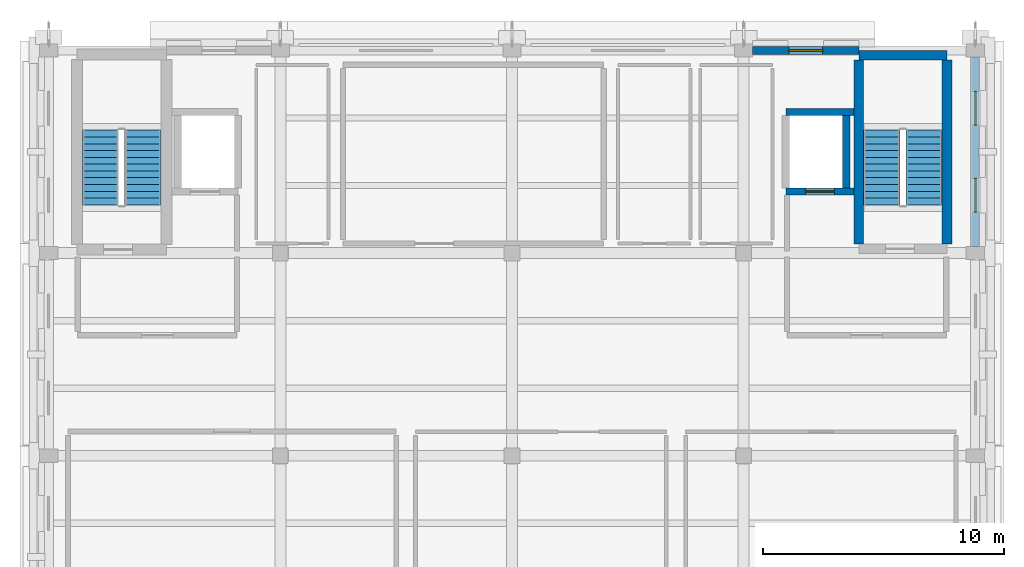
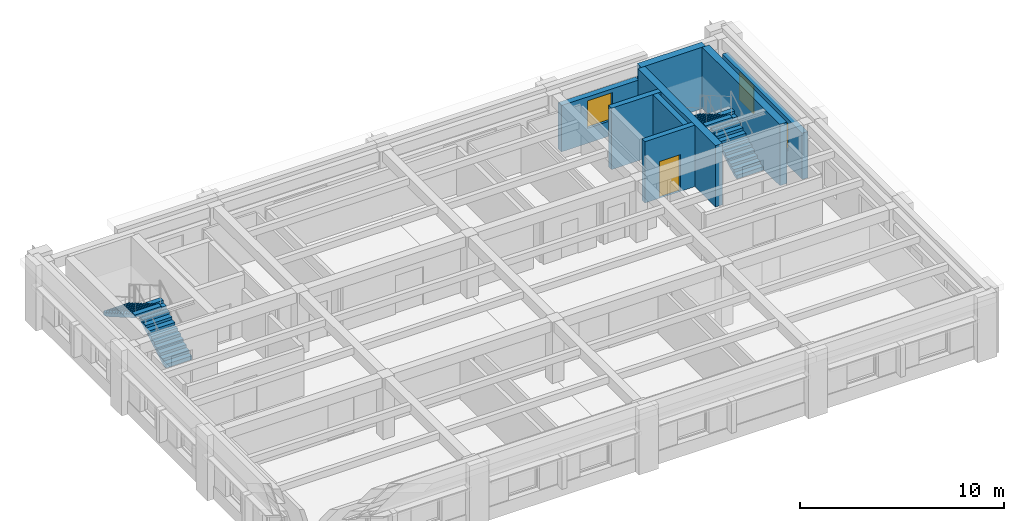
# One storey, part 6 of 9: 8 walls, 4 stair flights, 3 windows, 1 door, 4 openings, 2 elements without a shape of their own.
"""IFC4 building model written with IfcOpenShell, lengths in metres."""

import ifcopenshell
import ifcopenshell.guid

model = None  # the IFC model being written
_history = None  # IfcOwnerHistory: only IFC2X3 demands one
_inside = {}  # id of a spatial element -> (the spatial element, [elements in it])
_under = {}  # id of a project, library or spatial element -> (it, [spatial elements below it])
_declared = {}  # id of a project -> (the project, [libraries it declares])
_typed = {}  # id of a type object -> (the type object, [elements of that type])
_made_of = {}  # id of a material, layer set ... -> (it, [elements and type objects made of it])


def new_model(schema):
    """Start an empty IFC model of exactly this schema.

    Asked for "IFC4X3", IfcOpenShell would pick the latest addendum, in which some entities
    have other attributes; the version numbers below select the first issue.
    IFC2X3 requires an IfcOwnerHistory on every rooted entity: one is made here for all.
    """
    global model, _history
    if schema == "IFC4X3":
        model = ifcopenshell.file(schema_version=(4, 3, 0, 0))
    else:
        model = ifcopenshell.file(schema=schema)
    _inside.clear()
    _under.clear()
    _declared.clear()
    _typed.clear()
    _made_of.clear()
    _history = None
    if model.schema == "IFC2X3":
        org = make("IfcOrganization", Name="unknown")
        user = make(
            "IfcPersonAndOrganization",
            ThePerson=make("IfcPerson", FamilyName="unknown"),
            TheOrganization=org,
        )
        app = make(
            "IfcApplication",
            ApplicationDeveloper=org,
            Version="unknown",
            ApplicationFullName="unknown",
            ApplicationIdentifier="unknown",
        )
        _history = make(
            "IfcOwnerHistory",
            OwningUser=user,
            OwningApplication=app,
            ChangeAction="ADDED",
            CreationDate=0,
        )
    return model


def make(cls, **values):
    """One entity of the class cls with the attributes given. An attribute that is None is left unset."""
    return model.create_entity(
        cls, **{name: value for name, value in values.items() if value is not None}
    )


def rooted(cls, **values):
    """An entity with a GlobalId (a new one), such as an element, a storey or a relation."""
    return make(cls, GlobalId=ifcopenshell.guid.new(), OwnerHistory=_history, **values)


def si_unit(unit_type, name, prefix=None):
    """IfcSIUnit, for example si_unit("LENGTHUNIT", "METRE", prefix="MILLI")."""
    return make("IfcSIUnit", UnitType=unit_type, Prefix=prefix, Name=name)


def assignment(units):
    """IfcUnitAssignment: the units of a project."""
    return None if units is None else make("IfcUnitAssignment", Units=units)


def point(xyz):
    """IfcCartesianPoint."""
    return None if xyz is None else make("IfcCartesianPoint", Coordinates=xyz)


def direction(xyz):
    """IfcDirection."""
    return None if xyz is None else make("IfcDirection", DirectionRatios=xyz)


def frame(location, z_axis=None, x_axis=None):
    """IfcAxis2Placement3D, a coordinate frame: its origin and axes. An axis left out is left unset."""
    return make(
        "IfcAxis2Placement3D",
        Location=point(location),
        Axis=direction(z_axis),
        RefDirection=direction(x_axis),
    )


def frame_2d(location, x_axis=None):
    """IfcAxis2Placement2D, a coordinate frame in the plane: its origin and x axis."""
    return make(
        "IfcAxis2Placement2D", Location=point(location), RefDirection=direction(x_axis)
    )


def origin():
    """The frame at (0, 0, 0) with its axes left unset."""
    return frame((0.0, 0.0, 0.0))


def place(relative_to, where):
    """IfcLocalPlacement: puts the frame where relative to a parent placement (None: the world)."""
    return make(
        "IfcLocalPlacement", PlacementRelTo=relative_to, RelativePlacement=where
    )


def context(
    kind, dimensions, precision=None, world=None, true_north=None, identifier=None
):
    """IfcGeometricRepresentationContext, for example the 3D "Model" context."""
    return make(
        "IfcGeometricRepresentationContext",
        ContextIdentifier=identifier,
        ContextType=kind,
        CoordinateSpaceDimension=dimensions,
        Precision=precision,
        WorldCoordinateSystem=world,
        TrueNorth=true_north,
    )


def subcontext(parent, identifier, kind, view, scale=None):
    """IfcGeometricRepresentationSubContext, for example "Body" below "Model"."""
    return make(
        "IfcGeometricRepresentationSubContext",
        ContextIdentifier=identifier,
        ContextType=kind,
        ParentContext=parent,
        TargetScale=scale,
        TargetView=view,
    )


def project(units=None, contexts=None):
    """IfcProject with its units and contexts."""
    return rooted(
        "IfcProject",
        Name="project",
        RepresentationContexts=contexts,
        UnitsInContext=assignment(units),
    )


def spatial(cls, under=None, at=None, **own):
    """A site, building, storey or space (cls), placed at a placement, below another one or the project."""
    s = rooted(cls, ObjectPlacement=at, **own)
    if under is not None:
        _under.setdefault(under.id(), (under, []))[1].append(s)
    return s


def polyline(points):
    """IfcPolyline through the points."""
    return make("IfcPolyline", Points=[point(p) for p in points])


def profile(cls, at=None, kind="AREA", **sizes):
    """A parametric profile (cls). Its sizes go by their IFC names, for example OverallWidth=200.0."""
    return make(cls, ProfileType=kind, Position=at, **sizes)


def rectangle(**sizes):
    """IfcRectangleProfileDef."""
    return profile("IfcRectangleProfileDef", **sizes)


def outline(outer, holes=None, kind="AREA"):
    """IfcArbitraryClosedProfileDef: a profile drawn as a closed curve; with holes, ...WithVoids."""
    if holes is None:
        return make("IfcArbitraryClosedProfileDef", ProfileType=kind, OuterCurve=outer)
    return make(
        "IfcArbitraryProfileDefWithVoids",
        ProfileType=kind,
        OuterCurve=outer,
        InnerCurves=holes,
    )


def extrude(swept, where, along, depth):
    """IfcExtrudedAreaSolid: the profile swept, set in the frame where, extruded along a direction by depth."""
    return make(
        "IfcExtrudedAreaSolid",
        SweptArea=swept,
        Position=where,
        ExtrudedDirection=direction(along),
        Depth=depth,
    )


def shape(context_of_items, identifier, shape_type, items):
    """IfcShapeRepresentation: the items that make up one representation, for example the "Body"."""
    return make(
        "IfcShapeRepresentation",
        ContextOfItems=context_of_items,
        RepresentationIdentifier=identifier,
        RepresentationType=shape_type,
        Items=items,
    )


def material(Name=None, Category=None):
    """IfcMaterial."""
    return make("IfcMaterial", Name=Name, Category=Category)


def layer(
    of_material, thickness, ventilated=None, Name=None, Category=None, Priority=None
):
    """IfcMaterialLayer: one layer of a wall or slab, of a material (None: an air gap)."""
    return make(
        "IfcMaterialLayer",
        Material=of_material,
        LayerThickness=thickness,
        IsVentilated=ventilated,
        Name=Name,
        Category=Category,
        Priority=Priority,
    )


def layer_set(layers, Name=None):
    """IfcMaterialLayerSet."""
    return make("IfcMaterialLayerSet", MaterialLayers=layers, LayerSetName=Name)


def made_of(thing, what):
    """Note that an element or type object is made of a material, layer set ...; save() writes the relation."""
    if what is not None:
        _made_of.setdefault(what.id(), (what, []))[1].append(thing)
    return thing


def type_object(cls, material=None, **own):
    """A type object (cls), such as IfcWallType, which elements share."""
    return made_of(rooted(cls, **own), material)


def element(
    cls,
    number,
    at=None,
    inside=None,
    cuts=None,
    type_object=None,
    material=None,
    context=None,
    identifier="Body",
    shape_type=None,
    held_by="IfcProductDefinitionShape",
    body=None,
    shapes=None,
    **own,
):
    """One element of the class cls, such as IfcWall. Its Tag is "e" and its number.

    at: its placement. inside: the storey or other place that contains it. cuts: it is an
    opening in that element (IfcRelVoidsElement). A single representation is given by context,
    identifier, shape_type and body (its items); several are given by shapes. held_by: the class
    of the entity that holds the representations. save() writes the other relations.
    """
    e = rooted(cls, Tag="e%d" % number, ObjectPlacement=at, **own)
    if body is not None:
        shapes = [shape(context, identifier, shape_type, body)]
    if shapes is not None:
        e.Representation = make(held_by, Representations=shapes)
    if inside is not None:
        _inside.setdefault(inside.id(), (inside, []))[1].append(e)
    if cuts is not None:
        rooted(
            "IfcRelVoidsElement", RelatingBuildingElement=cuts, RelatedOpeningElement=e
        )
    if type_object is not None:
        _typed.setdefault(type_object.id(), (type_object, []))[1].append(e)
    return made_of(e, material)


def fill(opening, filler):
    """IfcRelFillsElement: the door or window that sits in an opening."""
    return rooted(
        "IfcRelFillsElement",
        RelatingOpeningElement=opening,
        RelatedBuildingElement=filler,
    )


def aggregate(whole, parts):
    """IfcRelAggregates: a whole, such as a stair, and the parts it consists of."""
    return rooted("IfcRelAggregates", RelatingObject=whole, RelatedObjects=parts)


def save(model, path):
    """Write the relations noted so far, then the file.

    IfcRelAggregates (storeys below a building ...), IfcRelContainedInSpatialStructure (elements
    in a storey), IfcRelDefinesByType, IfcRelAssociatesMaterial and IfcRelDeclares: one each for
    every whole, place, type object, material and project.
    """
    for whole, parts in _under.values():
        aggregate(whole, parts)
    for where, things in _inside.values():
        rooted(
            "IfcRelContainedInSpatialStructure",
            RelatedElements=things,
            RelatingStructure=where,
        )
    for kind, things in _typed.values():
        rooted("IfcRelDefinesByType", RelatedObjects=things, RelatingType=kind)
    for what, things in _made_of.values():
        rooted("IfcRelAssociatesMaterial", RelatedObjects=things, RelatingMaterial=what)
    for by, libraries in _declared.values():
        rooted("IfcRelDeclares", RelatingContext=by, RelatedDefinitions=libraries)
    model.write(path)


model = new_model("IFC4")

# Units and contexts
model_context = context("Model", 3, precision=1e-05, world=origin(), true_north=direction((0.0, 1.0)))
body_context = subcontext(model_context, "Body", "Model", "MODEL_VIEW")
ifc_project = project(units=[si_unit("LENGTHUNIT", "METRE"), si_unit("AREAUNIT", "SQUARE_METRE"), si_unit("VOLUMEUNIT", "CUBIC_METRE"), si_unit("PLANEANGLEUNIT", "RADIAN"), si_unit("MASSUNIT", "GRAM", prefix="KILO")], contexts=[model_context])

# Site, building, storey
site_placement = place(None, origin())
site = spatial("IfcSite", under=ifc_project, at=site_placement, CompositionType="ELEMENT")
building_placement = place(site_placement, origin())
building = spatial("IfcBuilding", under=site, at=building_placement, Name="Bempovik Park Faculty of Sciences", CompositionType="ELEMENT")
storey_placement = place(building_placement, frame((0.0, 0.0, 46.199951171875)))
storey = spatial("IfcBuildingStorey", under=building, at=storey_placement, Name="L11", CompositionType="ELEMENT", Elevation=46.199951171875)

# Wall, opening, door
ifc_material_1 = material(Name="Concrete C40/50", Category="concrete")
ifc_layer_1 = layer(ifc_material_1, 0.300048828125)
ifc_layer_set_1 = layer_set([ifc_layer_1], Name="Concrete C40/50")
wall_type_1 = type_object("IfcWallType", Name="W-31 Wall 300mm", PredefinedType="SHEAR", material=ifc_layer_set_1)
wall_1_placement = place(storey_placement, frame((100.14990234375, 113.550048828125, 0.0), z_axis=(0.0, 0.0, 1.0), x_axis=(1.0, 0.0, 0.0)))
wall_1 = element("IfcWall", 1, at=wall_1_placement, inside=storey, type_object=wall_type_1, Name="Lift LF-2 L11 Shaft Wall South", PredefinedType="SHEAR", context=body_context, shape_type="SweptSolid", body=[
    extrude(rectangle(XDim=2.8251953125, YDim=0.300048828125, at=frame_2d((1.41259765625, 0.0))), origin(), (0.0, 0.0, 1.0), 3.679931640625),
])
opening_1_placement = place(wall_1_placement, frame((0.8125, 0.0, 0.0)))
opening_1 = element("IfcOpeningElement", 2, at=opening_1_placement, cuts=wall_1, Name="Opening LD-01", PredefinedType="OPENING", context=body_context, shape_type="SweptSolid", body=[
    extrude(rectangle(XDim=1.199951171875, YDim=2.199951171875, at=frame_2d((0.60009765625, 1.10009765625))), frame((0.0, 0.16015625, 0.0), z_axis=(0.0, -1.0, 0.0), x_axis=(1.0, 0.0, 0.0)), (0.0, 0.0, 1.0), 0.320068359375),
])
ifc_material_2 = material(Name="Painted steel S355", Category="steel")
door_type = type_object("IfcDoorType", Name="LD-01 Door 1200x2200", OperationType="NOTDEFINED", PredefinedType="DOOR", material=ifc_material_2)
door_placement = place(opening_1_placement, origin())
door = element("IfcDoor", 3, at=door_placement, inside=storey, type_object=door_type, Name="Lift LF-2 L11 Sliding Landing Door", OperationType="SLIDING_TO_LEFT", OverallHeight=2.199951171875, OverallWidth=1.199951171875, PredefinedType="DOOR", context=body_context, shape_type="SweptSolid", body=[
    extrude(rectangle(XDim=1.199951171875, YDim=2.199951171875, at=frame_2d((0.60009765625, 1.10009765625))), frame((0.0, 0.02490234375, 0.0), z_axis=(0.0, -1.0, 0.0), x_axis=(1.0, 0.0, 0.0)), (0.0, 0.0, 1.0), 0.050048828125),
])
fill(opening_1, door)

# Walls
wall_2_placement = place(storey_placement, frame((100.14990234375, 116.85009765625, 0.0), z_axis=(0.0, 0.0, 1.0), x_axis=(1.0, 0.0, 0.0)))
element("IfcWall", 4, at=wall_2_placement, inside=storey, type_object=wall_type_1, Name="Lift LF-2 L11 Shaft Wall North", PredefinedType="SHEAR", context=body_context, shape_type="SweptSolid", body=[
    extrude(rectangle(XDim=2.8251953125, YDim=0.300048828125, at=frame_2d((1.41259765625, 0.0))), origin(), (0.0, 0.0, 1.0), 3.679931640625),
])
wall_3_placement = place(storey_placement, frame((102.64990234375, 113.699951171875, 0.0), z_axis=(0.0, 0.0, 1.0), x_axis=(0.0, 1.0, 0.0)))
element("IfcWall", 5, at=wall_3_placement, inside=storey, type_object=wall_type_1, Name="Lift LF-2 L11 Shaft Wall East", PredefinedType="SHEAR", context=body_context, shape_type="SweptSolid", body=[
    extrude(rectangle(XDim=3.0, YDim=0.300048828125, at=frame_2d((1.5, 0.0))), origin(), (0.0, 0.0, 1.0), 3.679931640625),
])
ifc_layer_2 = layer(ifc_material_1, 0.39990234375)
ifc_layer_set_2 = layer_set([ifc_layer_2], Name="Concrete C40/50")
wall_type_2 = type_object("IfcWallType", Name="W-47 Wall 400mm", PredefinedType="SHEAR", material=ifc_layer_set_2)
for number, where, z_axis, x_axis, name in (
    (6, (103.175048828125, 111.375, 0.0), (0.0, 0.0, 1.0), (0.0, 1.0, 0.0), "ST-2 L11 Core Shear Wall West"),
    (7, (106.824951171875, 111.375, 0.0), (0.0, 0.0, 1.0), (0.0, 1.0, 0.0), "ST-2 L11 Core Shear Wall East"),
):
    element("IfcWall", number, at=place(storey_placement, frame(where, z_axis=z_axis, x_axis=x_axis)), inside=storey, type_object=wall_type_2, Name=name, PredefinedType="SHEAR", context=body_context, shape_type="SweptSolid", body=[
        extrude(rectangle(XDim=7.625, YDim=0.39990234375, at=frame_2d((3.8125, 0.0))), origin(), (0.0, 0.0, 1.0), 3.679931640625),
    ])
wall_4_placement = place(storey_placement, frame((103.175048828125, 119.199951171875, 0.0), z_axis=(0.0, 0.0, 1.0), x_axis=(1.0, 0.0, 0.0)))
element("IfcWall", 8, at=wall_4_placement, inside=storey, type_object=wall_type_2, Name="ST-2 L11 Core Shear Wall North", PredefinedType="SHEAR", context=body_context, shape_type="SweptSolid", body=[
    extrude(rectangle(XDim=3.64990234375, YDim=0.39990234375, at=frame_2d((1.824951171875, 0.0))), origin(), (0.0, 0.0, 1.0), 3.679931640625),
])

# Wall, openings, windows
ifc_material_3 = material(Name="Precast concrete C40/50", Category="concrete")
ifc_layer_3 = layer(ifc_material_3, 0.320068359375)
ifc_layer_set_3 = layer_set([ifc_layer_3], Name="Precast concrete C40/50")
wall_type_3 = type_object("IfcWallType", Name="W-56 Wall 320mm", PredefinedType="SOLIDWALL", material=ifc_layer_set_3)
wall_5_placement = place(storey_placement, frame((108.0, 111.277099609375, 0.0), z_axis=(0.0, 0.0, 1.0), x_axis=(0.0, 1.0, 0.0)))
wall_5 = element("IfcWall", 9, at=wall_5_placement, inside=storey, type_object=wall_type_3, Name="L11 Classical Precast Facade Wall EW-L11-11316", PredefinedType="SOLIDWALL", context=body_context, shape_type="SweptSolid", body=[
    extrude(rectangle(XDim=7.845947265625, YDim=0.320068359375, at=frame_2d((3.9228515625, 0.0))), origin(), (0.0, 0.0, 1.0), 2.780029296875),
])
opening_2_placement = place(wall_5_placement, frame((1.41845703125, 0.0, 0.85009765625)))
opening_2 = element("IfcOpeningElement", 10, at=opening_2_placement, cuts=wall_5, Name="Opening WN-84", PredefinedType="OPENING", context=body_context, shape_type="SweptSolid", body=[
    extrude(rectangle(XDim=1.39990234375, YDim=1.64990234375, at=frame_2d((0.699951171875, 0.824951171875))), frame((0.0, 0.169921875, 0.0), z_axis=(0.0, -1.0, 0.0), x_axis=(1.0, 0.0, 0.0)), (0.0, 0.0, 1.0), 0.340087890625),
])
opening_3_placement = place(wall_5_placement, frame((5.027587890625, 0.0, 0.85009765625)))
opening_3 = element("IfcOpeningElement", 11, at=opening_3_placement, cuts=wall_5, Name="Opening WN-84", PredefinedType="OPENING", context=body_context, shape_type="SweptSolid", body=[
    extrude(rectangle(XDim=1.39990234375, YDim=1.64990234375, at=frame_2d((0.699951171875, 0.824951171875))), frame((0.0, 0.169921875, 0.0), z_axis=(0.0, -1.0, 0.0), x_axis=(1.0, 0.0, 0.0)), (0.0, 0.0, 1.0), 0.340087890625),
])
ifc_material_4 = material(Name="Tempered laminated low-E glass", Category="glass")
window_type = type_object("IfcWindowType", Name="WN-84 Window 1400x1650", PartitioningType="SINGLE_PANEL", PredefinedType="WINDOW", material=ifc_material_4)
window_1_placement = place(opening_2_placement, origin())
window_1 = element("IfcWindow", 12, at=window_1_placement, inside=storey, type_object=window_type, Name="L11 Window EW-L11-11316-1", OverallHeight=1.64990234375, OverallWidth=1.39990234375, PartitioningType="SINGLE_PANEL", PredefinedType="WINDOW", context=body_context, shape_type="SweptSolid", body=[
    extrude(rectangle(XDim=1.39990234375, YDim=1.64990234375, at=frame_2d((0.699951171875, 0.824951171875))), frame((0.0, 0.030029296875, 0.0), z_axis=(0.0, -1.0, 0.0), x_axis=(1.0, 0.0, 0.0)), (0.0, 0.0, 1.0), 0.06005859375),
])
fill(opening_2, window_1)
window_2_placement = place(opening_3_placement, origin())
window_2 = element("IfcWindow", 13, at=window_2_placement, inside=storey, type_object=window_type, Name="L11 Window EW-L11-11316-2", OverallHeight=1.64990234375, OverallWidth=1.39990234375, PartitioningType="SINGLE_PANEL", PredefinedType="WINDOW", context=body_context, shape_type="SweptSolid", body=[
    extrude(rectangle(XDim=1.39990234375, YDim=1.64990234375, at=frame_2d((0.699951171875, 0.824951171875))), frame((0.0, 0.030029296875, 0.0), z_axis=(0.0, -1.0, 0.0), x_axis=(1.0, 0.0, 0.0)), (0.0, 0.0, 1.0), 0.06005859375),
])
fill(opening_3, window_2)

# Wall, opening, window
wall_6_placement = place(storey_placement, frame((98.777099609375, 119.39990234375, 0.0), z_axis=(0.0, 0.0, 1.0), x_axis=(1.0, 0.0, 0.0)))
wall_6 = element("IfcWall", 14, at=wall_6_placement, inside=storey, type_object=wall_type_3, Name="L11 Classical Precast Facade Wall EW-L11-11349", PredefinedType="SOLIDWALL", context=body_context, shape_type="SweptSolid", body=[
    extrude(rectangle(XDim=4.39697265625, YDim=0.320068359375, at=frame_2d((2.198486328125, 0.0))), origin(), (0.0, 0.0, 1.0), 2.780029296875),
])
opening_4_placement = place(wall_6_placement, frame((1.49853515625, 0.0, 0.89990234375)))
opening_4 = element("IfcOpeningElement", 15, at=opening_4_placement, cuts=wall_6, Name="Opening WN-84", PredefinedType="OPENING", context=body_context, shape_type="SweptSolid", body=[
    extrude(rectangle(XDim=1.39990234375, YDim=1.64990234375, at=frame_2d((0.699951171875, 0.824951171875))), frame((0.0, 0.169921875, 0.0), z_axis=(0.0, -1.0, 0.0), x_axis=(1.0, 0.0, 0.0)), (0.0, 0.0, 1.0), 0.340087890625),
])
window_3_placement = place(opening_4_placement, origin())
window_3 = element("IfcWindow", 16, at=window_3_placement, inside=storey, type_object=window_type, Name="L11 Stairwell Classical Lancet Window EW-L11-11349", OverallHeight=1.64990234375, OverallWidth=1.39990234375, PartitioningType="SINGLE_PANEL", PredefinedType="WINDOW", context=body_context, shape_type="SweptSolid", body=[
    extrude(rectangle(XDim=1.39990234375, YDim=1.64990234375, at=frame_2d((0.699951171875, 0.824951171875))), frame((0.0, 0.030029296875, 0.0), z_axis=(0.0, -1.0, 0.0), x_axis=(1.0, 0.0, 0.0)), (0.0, 0.0, 1.0), 0.06005859375),
])
fill(opening_4, window_3)

# Stair, stair flights
ifc_material_5 = material(Name="Concrete C35/45", Category="concrete")
stair_type = type_object("IfcStairType", Name="ST-17 Stair W1500 H3900", PredefinedType="HALF_TURN_STAIR", material=ifc_material_5)
stair_1_placement = place(storey_placement, origin())
stair_1 = element("IfcStair", 17, at=stair_1_placement, inside=storey, type_object=stair_type, Name="L11 ST-1 Dog-Leg Exit Stair", PredefinedType="HALF_TURN_STAIR")
stair_flight_type = type_object("IfcStairFlightType", Name="FL-16 Flight W1500 H3900", PredefinedType="STRAIGHT", material=ifc_material_5)
stair_flight_1_placement = place(storey_placement, frame((73.5, 113.0, 0.0), z_axis=(0.0, 0.0, 1.0), x_axis=(0.0, 1.0, 0.0)))
stair_flight_1 = element("IfcStairFlight", 18, at=stair_flight_1_placement, type_object=stair_flight_type, Name="ST-17 flight 1", NumberOfRisers=12, NumberOfTreads=11, PredefinedType="STRAIGHT", RiserHeight=0.1625, TreadLength=0.28125, context=body_context, shape_type="SweptSolid", body=[
    extrude(outline(polyline([(0.0, 0.0), (0.0, 0.16259765625), (0.28125, 0.16259765625), (0.28125, 0.324951171875), (0.5625, 0.324951171875), (0.5625, 0.487548828125), (0.84375, 0.487548828125), (0.84375, 0.64990234375), (1.125, 0.64990234375), (1.125, 0.8125), (1.40625, 0.8125), (1.40625, 0.97509765625), (1.6875, 0.97509765625), (1.6875, 1.137451171875), (1.96875, 1.137451171875), (1.96875, 1.300048828125), (2.25, 1.300048828125), (2.25, 1.46240234375), (2.53125, 1.46240234375), (2.53125, 1.625), (2.8125, 1.625), (2.8125, 1.78759765625), (3.09375, 1.78759765625), (3.09375, 1.949951171875), (3.09375, 1.6142578125), (0.299560546875, 0.0), (0.0625, -0.0625), (0.0, -0.0625), (0.0, 0.0)])), frame((0.0, 0.75, 0.0), z_axis=(0.0, -1.0, 0.0), x_axis=(1.0, 0.0, 0.0)), (0.0, 0.0, 1.0), 1.5),
])
stair_flight_2_placement = place(storey_placement, frame((71.75, 116.09375, 1.949951171875), z_axis=(0.0, 0.0, 1.0), x_axis=(0.0, -1.0, 0.0)))
stair_flight_2 = element("IfcStairFlight", 19, at=stair_flight_2_placement, type_object=stair_flight_type, Name="ST-17 flight 2", NumberOfRisers=12, NumberOfTreads=11, PredefinedType="STRAIGHT", RiserHeight=0.1625, TreadLength=0.28125, context=body_context, shape_type="SweptSolid", body=[
    extrude(outline(polyline([(0.0, 0.0), (0.0, 0.16259765625), (0.28125, 0.16259765625), (0.28125, 0.324951171875), (0.5625, 0.324951171875), (0.5625, 0.487548828125), (0.84375, 0.487548828125), (0.84375, 0.64990234375), (1.125, 0.64990234375), (1.125, 0.8125), (1.40625, 0.8125), (1.40625, 0.97509765625), (1.6875, 0.97509765625), (1.6875, 1.137451171875), (1.96875, 1.137451171875), (1.96875, 1.300048828125), (2.25, 1.300048828125), (2.25, 1.46240234375), (2.53125, 1.46240234375), (2.53125, 1.625), (2.8125, 1.625), (2.8125, 1.78759765625), (3.09375, 1.78759765625), (3.09375, 1.949951171875), (3.09375, 1.6142578125), (0.299560546875, 0.0), (0.0625, -0.0625), (0.0, -0.0625), (0.0, 0.0)])), frame((0.0, 0.75, 0.0), z_axis=(0.0, -1.0, 0.0), x_axis=(1.0, 0.0, 0.0)), (0.0, 0.0, 1.0), 1.5),
])
aggregate(stair_1, [stair_flight_1, stair_flight_2])

stair_2_placement = place(storey_placement, origin())
stair_2 = element("IfcStair", 20, at=stair_2_placement, inside=storey, type_object=stair_type, Name="L11 ST-2 Dog-Leg Exit Stair", PredefinedType="HALF_TURN_STAIR")
stair_flight_3_placement = place(storey_placement, frame((105.875, 113.0, 0.0), z_axis=(0.0, 0.0, 1.0), x_axis=(0.0, 1.0, 0.0)))
stair_flight_3 = element("IfcStairFlight", 21, at=stair_flight_3_placement, type_object=stair_flight_type, Name="ST-17 flight 1", NumberOfRisers=12, NumberOfTreads=11, PredefinedType="STRAIGHT", RiserHeight=0.1625, TreadLength=0.28125, context=body_context, shape_type="SweptSolid", body=[
    extrude(outline(polyline([(0.0, 0.0), (0.0, 0.16259765625), (0.28125, 0.16259765625), (0.28125, 0.324951171875), (0.5625, 0.324951171875), (0.5625, 0.487548828125), (0.84375, 0.487548828125), (0.84375, 0.64990234375), (1.125, 0.64990234375), (1.125, 0.8125), (1.40625, 0.8125), (1.40625, 0.97509765625), (1.6875, 0.97509765625), (1.6875, 1.137451171875), (1.96875, 1.137451171875), (1.96875, 1.300048828125), (2.25, 1.300048828125), (2.25, 1.46240234375), (2.53125, 1.46240234375), (2.53125, 1.625), (2.8125, 1.625), (2.8125, 1.78759765625), (3.09375, 1.78759765625), (3.09375, 1.949951171875), (3.09375, 1.6142578125), (0.299560546875, 0.0), (0.0625, -0.0625), (0.0, -0.0625), (0.0, 0.0)])), frame((0.0, 0.75, 0.0), z_axis=(0.0, -1.0, 0.0), x_axis=(1.0, 0.0, 0.0)), (0.0, 0.0, 1.0), 1.5),
])
stair_flight_4_placement = place(storey_placement, frame((104.125, 116.09375, 1.949951171875), z_axis=(0.0, 0.0, 1.0), x_axis=(0.0, -1.0, 0.0)))
stair_flight_4 = element("IfcStairFlight", 22, at=stair_flight_4_placement, type_object=stair_flight_type, Name="ST-17 flight 2", NumberOfRisers=12, NumberOfTreads=11, PredefinedType="STRAIGHT", RiserHeight=0.1625, TreadLength=0.28125, context=body_context, shape_type="SweptSolid", body=[
    extrude(outline(polyline([(0.0, 0.0), (0.0, 0.16259765625), (0.28125, 0.16259765625), (0.28125, 0.324951171875), (0.5625, 0.324951171875), (0.5625, 0.487548828125), (0.84375, 0.487548828125), (0.84375, 0.64990234375), (1.125, 0.64990234375), (1.125, 0.8125), (1.40625, 0.8125), (1.40625, 0.97509765625), (1.6875, 0.97509765625), (1.6875, 1.137451171875), (1.96875, 1.137451171875), (1.96875, 1.300048828125), (2.25, 1.300048828125), (2.25, 1.46240234375), (2.53125, 1.46240234375), (2.53125, 1.625), (2.8125, 1.625), (2.8125, 1.78759765625), (3.09375, 1.78759765625), (3.09375, 1.949951171875), (3.09375, 1.6142578125), (0.299560546875, 0.0), (0.0625, -0.0625), (0.0, -0.0625), (0.0, 0.0)])), frame((0.0, 0.75, 0.0), z_axis=(0.0, -1.0, 0.0), x_axis=(1.0, 0.0, 0.0)), (0.0, 0.0, 1.0), 1.5),
])
aggregate(stair_2, [stair_flight_3, stair_flight_4])

save(model, "model.ifc")
